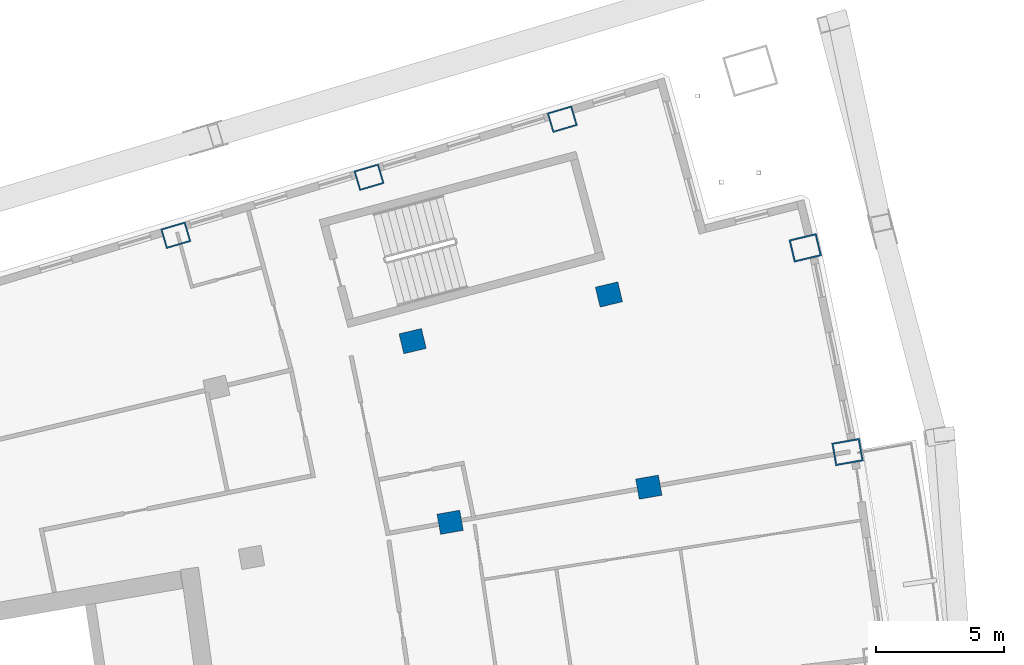
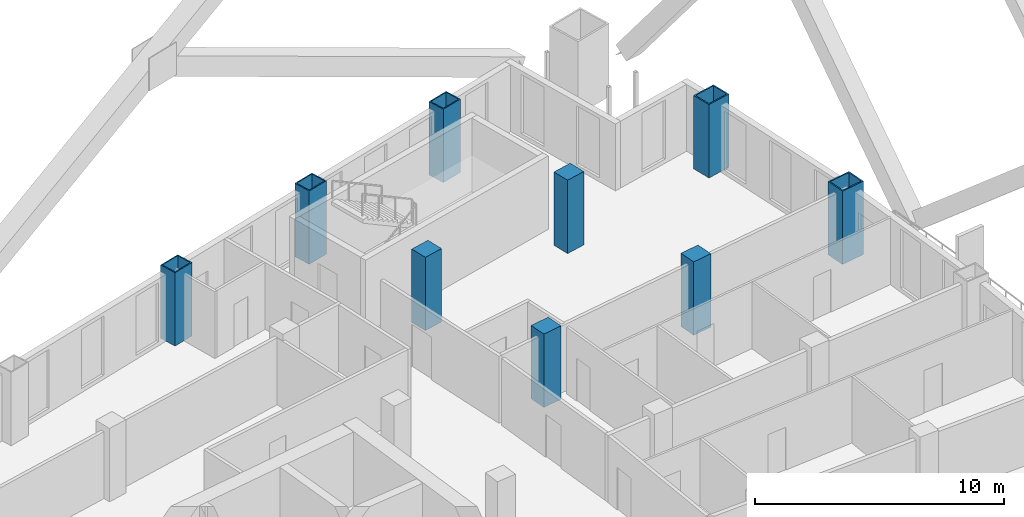
# One storey, part 8 of 22: 9 columns.
"""IFC4 building model written with IfcOpenShell, lengths in metres."""

from ifc_helpers import new_model, si_unit, direction, frame, origin, origin_2d, place, context, subcontext, project, spatial, rectangle, hollow_rectangle, extrude, material, material_profile, profile_set, type_object, element, save


model = new_model("IFC4")

# Units and contexts
model_context = context("Model", 3, precision=1e-05, world=origin(), true_north=direction((0.0, 1.0)))
body_context = subcontext(model_context, "Body", "Model", "MODEL_VIEW")
ifc_project = project(units=[si_unit("LENGTHUNIT", "METRE"), si_unit("AREAUNIT", "SQUARE_METRE"), si_unit("VOLUMEUNIT", "CUBIC_METRE"), si_unit("PLANEANGLEUNIT", "RADIAN"), si_unit("MASSUNIT", "GRAM", prefix="KILO")], contexts=[model_context])

# Site, building, storey
site_placement = place(None, origin())
site = spatial("IfcSite", under=ifc_project, at=site_placement, CompositionType="ELEMENT")
building_placement = place(site_placement, origin())
building = spatial("IfcBuilding", under=site, at=building_placement, Name="Alderwake Tower", CompositionType="ELEMENT")
storey_placement = place(building_placement, frame((0.0, 0.0, 160.39990234375)))
storey = spatial("IfcBuildingStorey", under=building, at=storey_placement, Name="L39", CompositionType="ELEMENT", Elevation=160.39990234375)

# Columns
ifc_material_1 = material(Name="Steel ASTM A572 Grade 50 concrete filled C70/85", Category="concrete")
ifc_material_profile_1 = material_profile(ifc_material_1, hollow_rectangle(XDim=0.800048828125, YDim=1.0, WallThickness=0.054931640625, at=origin_2d()), Name="BOX 1000X800X55")
ifc_profile_set_1 = profile_set([ifc_material_profile_1], Name="Steel ASTM A572 Grade 50 concrete filled C70/85")
column_type_1 = type_object("IfcColumnType", Name="End column Z3", PredefinedType="COLUMN", material=ifc_profile_set_1)
for number, where, z_axis, x_axis, name in (
    (1, (31.080322265625, 93.72314453125, 0.0), (0.0, 0.0, 1.0), (-0.282582549822, 0.959242984095, 0.0), "Column R12-C2"),
    (2, (38.614990234375, 95.985107421875, 0.0), (0.0, 0.0, 1.0), (-0.282898957267, 0.959149717186, 0.0), "Column R12-C3"),
    (3, (46.1494140625, 98.247314453125, 0.0), (0.0, 0.0, 1.0), (-0.283176834711, 0.959067714128, 0.0), "Column R12-C4"),
):
    element("IfcColumn", number, at=place(storey_placement, frame(where, z_axis=z_axis, x_axis=x_axis)), inside=storey, type_object=column_type_1, Name=name, PredefinedType="COLUMN", context=body_context, shape_type="SweptSolid", body=[
        extrude(hollow_rectangle(XDim=0.800048828125, YDim=1.0, WallThickness=0.054931640625, at=origin_2d()), origin(), (0.0, 0.0, 1.0), 3.60009765625),
    ])
ifc_material_2 = material(Name="Concrete C70/85", Category="concrete")
ifc_material_profile_2 = material_profile(ifc_material_2, rectangle(XDim=0.800048828125, YDim=0.89990234375, at=origin_2d()), Name="RC 900X800")
ifc_profile_set_2 = profile_set([ifc_material_profile_2], Name="Concrete C70/85")
column_type_2 = type_object("IfcColumnType", Name="Interior column Z3", PredefinedType="COLUMN", material=ifc_profile_set_2)
for number, where, z_axis, x_axis, name in (
    (4, (41.77783203125, 82.531494140625, 0.0), (0.0, 0.0, 1.0), (-0.174108800747, 0.984726421654, 0.0), "Column R10-C3"),
    (5, (49.5244140625, 83.90087890625, 0.0), (0.0, 0.0, 1.0), (-0.174108800747, 0.984726421654, 0.0), "Column R10-C4"),
    (6, (40.3154296875, 89.594482421875, 0.0), (0.0, 0.0, 1.0), (-0.231221547198, 0.972901123502, 0.0), "Column R11-C3"),
    (7, (47.968994140625, 91.413330078125, 0.0), (0.0, 0.0, 1.0), (-0.231221547198, 0.972901123502, 0.0), "Column R11-C4"),
):
    element("IfcColumn", number, at=place(storey_placement, frame(where, z_axis=z_axis, x_axis=x_axis)), inside=storey, type_object=column_type_2, Name=name, PredefinedType="COLUMN", context=body_context, shape_type="SweptSolid", body=[
        extrude(rectangle(XDim=0.800048828125, YDim=0.89990234375, at=origin_2d()), origin(), (0.0, 0.0, 1.0), 3.60009765625),
    ])
ifc_material_3 = material(Name="Steel ASTM A572 Grade 50 concrete filled C70/85", Category="concrete")
ifc_material_profile_3 = material_profile(ifc_material_3, hollow_rectangle(XDim=0.89990234375, YDim=1.10009765625, WallThickness=0.06005859375, at=origin_2d()), Name="BOX 1100X900X60")
ifc_profile_set_3 = profile_set([ifc_material_profile_3], Name="Steel ASTM A572 Grade 50 concrete filled C70/85")
column_type_3 = type_object("IfcColumnType", Name="Perimeter column Z3", PredefinedType="COLUMN", material=ifc_profile_set_3)
for number, where, z_axis, x_axis, name in (
    (8, (57.27099609375, 85.270751953125, 0.0), (0.0, 0.0, 1.0), (-0.174108800747, 0.984726421654, 0.0), "Column R10-C5"),
    (9, (55.622314453125, 93.232421875, 0.0), (0.0, 0.0, 1.0), (-0.231221547198, 0.972901123502, 0.0), "Column R11-C5"),
):
    element("IfcColumn", number, at=place(storey_placement, frame(where, z_axis=z_axis, x_axis=x_axis)), inside=storey, type_object=column_type_3, Name=name, PredefinedType="COLUMN", context=body_context, shape_type="SweptSolid", body=[
        extrude(hollow_rectangle(XDim=0.89990234375, YDim=1.10009765625, WallThickness=0.06005859375, at=origin_2d()), origin(), (0.0, 0.0, 1.0), 3.60009765625),
    ])

save(model, "model.ifc")
